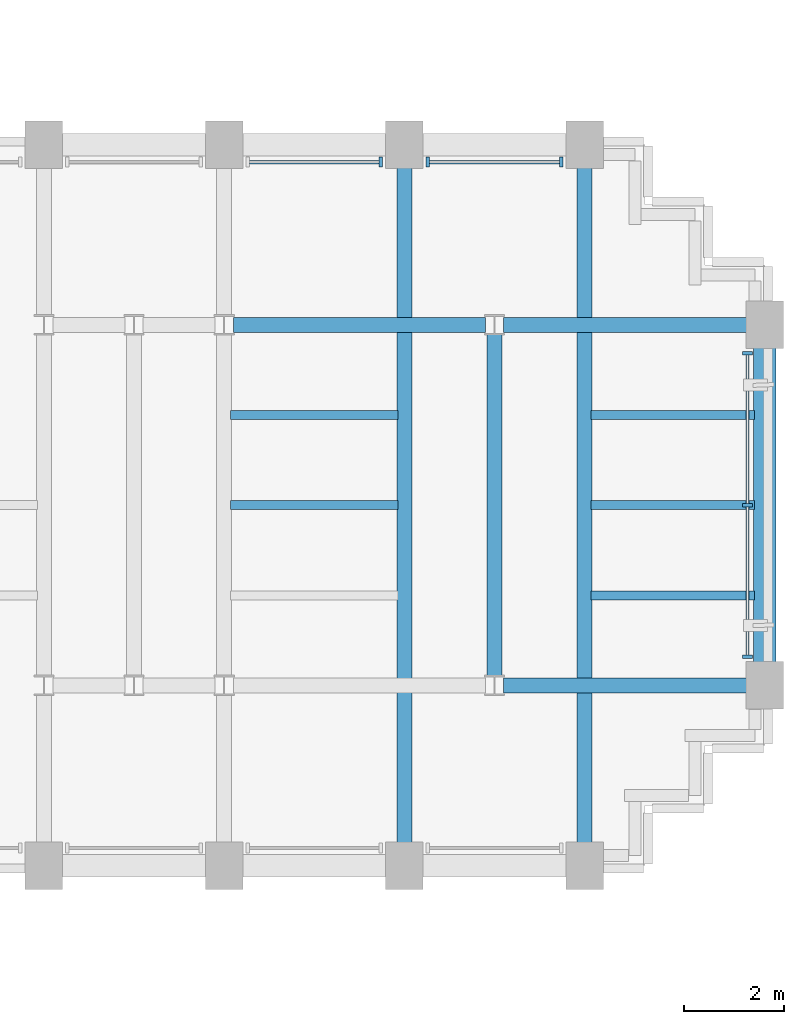
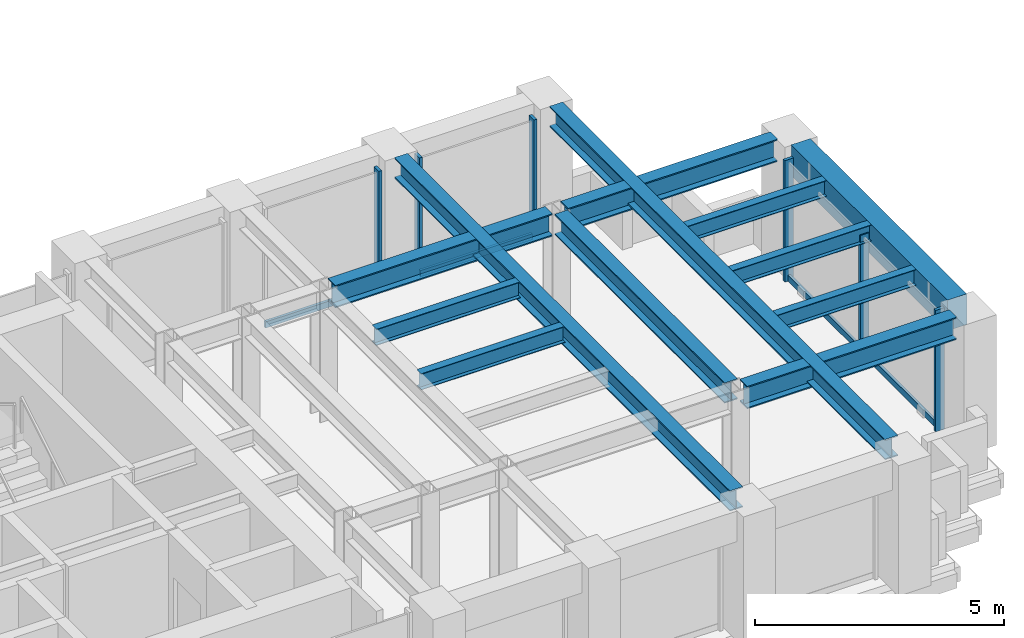
# One storey, part 6 of 16: 12 beams, 10 members, 3 elements without a shape of their own.
"""IFC4 building model written with IfcOpenShell, lengths in metres."""

from ifc_helpers import new_model, si_unit, direction, frame, origin, origin_2d, place, context, subcontext, project, spatial, rectangle, i_section, extrude, source, transform, mapped, material, material_profile, profile_set, type_object, element, aggregate, save


model = new_model("IFC4")

# Units and contexts
model_context = context("Model", 3, precision=1e-05, world=origin(), true_north=direction((0.0, 1.0)))
body_context = subcontext(model_context, "Body", "Model", "MODEL_VIEW")
ifc_project = project(units=[si_unit("LENGTHUNIT", "METRE"), si_unit("AREAUNIT", "SQUARE_METRE"), si_unit("VOLUMEUNIT", "CUBIC_METRE"), si_unit("PLANEANGLEUNIT", "RADIAN"), si_unit("MASSUNIT", "GRAM", prefix="KILO")], contexts=[model_context])

# Site, building, storey
site_placement = place(None, origin())
site = spatial("IfcSite", under=ifc_project, at=site_placement, CompositionType="ELEMENT")
building_placement = place(site_placement, origin())
building = spatial("IfcBuilding", under=site, at=building_placement, Name="Keilestroom Media Tower", CompositionType="ELEMENT")
storey_placement = place(building_placement, frame((0.0, 0.0, 37.39990234375)))
storey = spatial("IfcBuildingStorey", under=building, at=storey_placement, Name="L08", CompositionType="ELEMENT", Elevation=37.39990234375)

# Beams
ifc_material_1 = material(Name="Precast concrete C40/50", Category="concrete")
ifc_material_profile_1 = material_profile(ifc_material_1, rectangle(XDim=0.449951171875, YDim=0.75, at=origin_2d()), Name="PC 450x750")
ifc_profile_set_1 = profile_set([ifc_material_profile_1], Name="Precast concrete C40/50")
beam_type_1 = type_object("IfcBeamType", Name="Perimeter-Spandrel-Beam-PC-450x750", PredefinedType="SPANDREL", material=ifc_profile_set_1)
shared_shape_1 = source(origin(), body_context, "Body", "SweptSolid", [
    extrude(rectangle(XDim=0.449951171875, YDim=0.75, at=origin_2d()), origin(), (0.0, 0.0, 1.0), 6.2900390625),
])
beam_1_placement = place(storey_placement, frame((28.800048828125, -3.14501953125, 2.8251953125), z_axis=(0.0, 1.0, 0.0), x_axis=(-1.0, 0.0, 0.0)))
element("IfcBeam", 1, at=beam_1_placement, inside=storey, type_object=beam_type_1, Name="L08 Beam SPB-1 BM-L08-NS-086", PredefinedType="SPANDREL", context=body_context, shape_type="MappedRepresentation", body=[
    mapped(shared_shape_1, transform((0.0, 0.0, 0.0), x_axis=(1.0, 0.0, 0.0), y_axis=(0.0, 1.0, 0.0), z_axis=(0.0, 0.0, 1.0), scale=1.0)),
])
ifc_material_2 = material(Name="Steel S355", Category="steel")
ifc_material_profile_2 = material_profile(ifc_material_2, i_section(OverallWidth=0.300048828125, OverallDepth=0.550048828125, WebThickness=0.012939453125, FlangeThickness=0.029052734375, at=origin_2d()), Name="HEB 550")
ifc_profile_set_2 = profile_set([ifc_material_profile_2], Name="Steel S355")
beam_type_2 = type_object("IfcBeamType", Name="Primary-Structural-Girder-HEB-550", PredefinedType="BEAM", material=ifc_profile_set_2)
shared_shape_2 = source(origin(), body_context, "Body", "SweptSolid", [
    extrude(i_section(OverallWidth=0.300048828125, OverallDepth=0.550048828125, WebThickness=0.012939453125, FlangeThickness=0.029052734375, at=origin_2d()), origin(), (0.0, 0.0, 1.0), 4.863037109375),
])
for number, where, z_axis, x_axis, name in (
    (2, (23.58203125, -3.60009765625, 2.925048828125), (1.0, 0.0, 0.0), (0.0, 1.0, 0.0), "L08 Beam BG-5 BM-L08-EW-025"),
    (3, (23.58203125, 3.60009765625, 2.925048828125), (1.0, 0.0, 0.0), (0.0, 1.0, 0.0), "L08 Beam BG-5 BM-L08-EW-033"),
):
    element("IfcBeam", number, at=place(storey_placement, frame(where, z_axis=z_axis, x_axis=x_axis)), inside=storey, type_object=beam_type_2, Name=name, PredefinedType="BEAM", context=body_context, shape_type="MappedRepresentation", body=[
        mapped(shared_shape_2, transform((0.0, 0.0, 0.0), x_axis=(1.0, 0.0, 0.0), y_axis=(0.0, 1.0, 0.0), z_axis=(0.0, 0.0, 1.0), scale=1.0)),
    ])
shared_shape_3 = source(origin(), body_context, "Body", "SweptSolid", [
    extrude(i_section(OverallWidth=0.300048828125, OverallDepth=0.550048828125, WebThickness=0.012939453125, FlangeThickness=0.029052734375, at=origin_2d()), origin(), (0.0, 0.0, 1.0), 5.0361328125),
])
beam_2_placement = place(storey_placement, frame((18.181884765625, 3.60009765625, 2.925048828125), z_axis=(1.0, 0.0, 0.0), x_axis=(0.0, 1.0, 0.0)))
element("IfcBeam", 4, at=beam_2_placement, inside=storey, type_object=beam_type_2, Name="L08 Beam BG-5 BM-L08-EW-032", PredefinedType="BEAM", context=body_context, shape_type="MappedRepresentation", body=[
    mapped(shared_shape_3, transform((0.0, 0.0, 0.0), x_axis=(1.0, 0.0, 0.0), y_axis=(0.0, 1.0, 0.0), z_axis=(0.0, 0.0, 1.0), scale=1.0)),
])
ifc_material_profile_3 = material_profile(ifc_material_2, i_section(OverallWidth=0.300048828125, OverallDepth=0.5, WebThickness=0.012451171875, FlangeThickness=0.028076171875, at=origin_2d()), Name="HEB 500")
ifc_profile_set_3 = profile_set([ifc_material_profile_3], Name="Steel S355")
beam_type_3 = type_object("IfcBeamType", Name="Primary-Structural-Girder-HEB-500", PredefinedType="BEAM", material=ifc_profile_set_3)
shared_shape_4 = source(origin(), body_context, "Body", "SweptSolid", [
    extrude(i_section(OverallWidth=0.300048828125, OverallDepth=0.5, WebThickness=0.012451171875, FlangeThickness=0.028076171875, at=origin_2d()), origin(), (0.0, 0.0, 1.0), 13.490234375),
])
for number, where, z_axis, x_axis, name in (
    (5, (21.60009765625, -6.7451171875, 2.9501953125), (0.0, 1.0, 0.0), (-1.0, 0.0, 0.0), "L08 Beam BG-6 BM-L08-NS-083"),
    (6, (25.199951171875, -6.7451171875, 2.9501953125), (0.0, 1.0, 0.0), (-1.0, 0.0, 0.0), "L08 Beam BG-6 BM-L08-NS-085"),
):
    element("IfcBeam", number, at=place(storey_placement, frame(where, z_axis=z_axis, x_axis=x_axis)), inside=storey, type_object=beam_type_3, Name=name, PredefinedType="BEAM", context=body_context, shape_type="MappedRepresentation", body=[
        mapped(shared_shape_4, transform((0.0, 0.0, 0.0), x_axis=(1.0, 0.0, 0.0), y_axis=(0.0, 1.0, 0.0), z_axis=(0.0, 0.0, 1.0), scale=1.0)),
    ])
shared_shape_5 = source(origin(), body_context, "Body", "SweptSolid", [
    extrude(i_section(OverallWidth=0.300048828125, OverallDepth=0.5, WebThickness=0.012451171875, FlangeThickness=0.028076171875, at=origin_2d()), origin(), (0.0, 0.0, 1.0), 6.8330078125),
])
beam_3_placement = place(storey_placement, frame((23.39990234375, -3.41650390625, 2.9501953125), z_axis=(0.0, 1.0, 0.0), x_axis=(-1.0, 0.0, 0.0)))
element("IfcBeam", 7, at=beam_3_placement, inside=storey, type_object=beam_type_3, Name="L08 Beam BG-6 BM-L08-NS-084", PredefinedType="BEAM", context=body_context, shape_type="MappedRepresentation", body=[
    mapped(shared_shape_5, transform((0.0, 0.0, 0.0), x_axis=(1.0, 0.0, 0.0), y_axis=(0.0, 1.0, 0.0), z_axis=(0.0, 0.0, 1.0), scale=1.0)),
])
ifc_material_profile_4 = material_profile(ifc_material_2, i_section(OverallWidth=0.179931640625, OverallDepth=0.39990234375, WebThickness=0.008544921875, FlangeThickness=0.013427734375, at=origin_2d()), Name="IPE 400")
ifc_profile_set_4 = profile_set([ifc_material_profile_4], Name="Steel S355")
beam_type_4 = type_object("IfcBeamType", Name="Secondary-Floor-Joist-IPE-400", PredefinedType="JOIST", material=ifc_profile_set_4)
shared_shape_6 = source(origin(), body_context, "Body", "SweptSolid", [
    extrude(i_section(OverallWidth=0.179931640625, OverallDepth=0.39990234375, WebThickness=0.008544921875, FlangeThickness=0.013427734375, at=origin_2d()), origin(), (0.0, 0.0, 1.0), 3.264892578125),
])
for number, where, z_axis, x_axis, name in (
    (8, (25.330078125, -1.800048828125, 3.0), (1.0, 0.0, 0.0), (0.0, 1.0, 0.0), "L08 Beam BJ-4 JST-L08-095"),
    (9, (25.330078125, 0.0, 3.0), (1.0, 0.0, 0.0), (0.0, 1.0, 0.0), "L08 Beam BJ-4 JST-L08-102"),
    (10, (25.330078125, 1.800048828125, 3.0), (1.0, 0.0, 0.0), (0.0, 1.0, 0.0), "L08 Beam BJ-4 JST-L08-109"),
):
    element("IfcBeam", number, at=place(storey_placement, frame(where, z_axis=z_axis, x_axis=x_axis)), inside=storey, type_object=beam_type_4, Name=name, PredefinedType="JOIST", context=body_context, shape_type="MappedRepresentation", body=[
        mapped(shared_shape_6, transform((0.0, 0.0, 0.0), x_axis=(1.0, 0.0, 0.0), y_axis=(0.0, 1.0, 0.0), z_axis=(0.0, 0.0, 1.0), scale=1.0)),
    ])
shared_shape_7 = source(origin(), body_context, "Body", "SweptSolid", [
    extrude(i_section(OverallWidth=0.179931640625, OverallDepth=0.39990234375, WebThickness=0.008544921875, FlangeThickness=0.013427734375, at=origin_2d()), origin(), (0.0, 0.0, 1.0), 3.340087890625),
])
for number, where, z_axis, x_axis, name in (
    (11, (18.1298828125, 0.0, 3.0), (1.0, 0.0, 0.0), (0.0, 1.0, 0.0), "L08 Beam BJ-4 JST-L08-101"),
    (12, (18.1298828125, 1.800048828125, 3.0), (1.0, 0.0, 0.0), (0.0, 1.0, 0.0), "L08 Beam BJ-4 JST-L08-108"),
):
    element("IfcBeam", number, at=place(storey_placement, frame(where, z_axis=z_axis, x_axis=x_axis)), inside=storey, type_object=beam_type_4, Name=name, PredefinedType="JOIST", context=body_context, shape_type="MappedRepresentation", body=[
        mapped(shared_shape_7, transform((0.0, 0.0, 0.0), x_axis=(1.0, 0.0, 0.0), y_axis=(0.0, 1.0, 0.0), z_axis=(0.0, 0.0, 1.0), scale=1.0)),
    ])

# Curtain wall, members
ifc_material_3 = material(Name="Anodised Aluminium Alloy", Category="aluminium")
curtain_wall_type = type_object("IfcCurtainWallType", Name="Unitised-Curtain-Wall-CW-1", PredefinedType="NOTDEFINED", material=ifc_material_3)
curtain_wall_1_placement = place(storey_placement, origin())
curtain_wall_1 = element("IfcCurtainWall", 13, at=curtain_wall_1_placement, inside=storey, type_object=curtain_wall_type, Name="L08 Curtain Wall CW-1 CW-L08-E-1", PredefinedType="NOTDEFINED")
ifc_material_profile_5 = material_profile(ifc_material_3, rectangle(XDim=0.070068359375, YDim=0.199951171875, at=origin_2d()), Name="ALU MULLION 70x200")
ifc_profile_set_5 = profile_set([ifc_material_profile_5], Name="Anodised Aluminium Alloy")
member_type_1 = type_object("IfcMemberType", Name="Curtain-Wall-Mullion-CW-1", PredefinedType="MULLION", material=ifc_profile_set_5)
shared_shape_8 = source(origin(), body_context, "Body", "SweptSolid", [
    extrude(rectangle(XDim=0.070068359375, YDim=0.199951171875, at=origin_2d()), origin(), (0.0, 0.0, 1.0), 2.97998046875),
])
member_1_placement = place(storey_placement, frame((28.449951171875, -3.030029296875, 0.0), z_axis=(0.0, 0.0, 1.0), x_axis=(0.0, 1.0, 0.0)))
member_1 = element("IfcMember", 14, at=member_1_placement, type_object=member_type_1, Name="CW-1 Mullion 00", PredefinedType="MULLION", context=body_context, shape_type="MappedRepresentation", body=[
    mapped(shared_shape_8, transform((0.0, 0.0, 0.0), x_axis=(1.0, 0.0, 0.0), y_axis=(0.0, 1.0, 0.0), z_axis=(0.0, 0.0, 1.0), scale=1.0)),
])
member_2_placement = place(storey_placement, frame((28.449951171875, 0.0, 0.0), z_axis=(0.0, 0.0, 1.0), x_axis=(0.0, 1.0, 0.0)))
member_2 = element("IfcMember", 15, at=member_2_placement, type_object=member_type_1, Name="CW-1 Mullion 01", PredefinedType="MULLION", context=body_context, shape_type="MappedRepresentation", body=[
    mapped(shared_shape_8, transform((0.0, 0.0, 0.0), x_axis=(1.0, 0.0, 0.0), y_axis=(0.0, 1.0, 0.0), z_axis=(0.0, 0.0, 1.0), scale=1.0)),
])
member_3_placement = place(storey_placement, frame((28.449951171875, 3.030029296875, 0.0), z_axis=(0.0, 0.0, 1.0), x_axis=(0.0, 1.0, 0.0)))
member_3 = element("IfcMember", 16, at=member_3_placement, type_object=member_type_1, Name="CW-1 Mullion 02", PredefinedType="MULLION", context=body_context, shape_type="MappedRepresentation", body=[
    mapped(shared_shape_8, transform((0.0, 0.0, 0.0), x_axis=(1.0, 0.0, 0.0), y_axis=(0.0, 1.0, 0.0), z_axis=(0.0, 0.0, 1.0), scale=1.0)),
])

# Curtain wall, member
curtain_wall_2_placement = place(storey_placement, origin())
curtain_wall_2 = element("IfcCurtainWall", 17, at=curtain_wall_2_placement, inside=storey, type_object=curtain_wall_type, Name="L08 Curtain Wall CW-1 CW-L08-NE-3", PredefinedType="NOTDEFINED")
member_4_placement = place(storey_placement, frame((21.1298828125, 6.85009765625, 0.0), z_axis=(0.0, 0.0, 1.0), x_axis=(1.0, 0.0, 0.0)))
member_4 = element("IfcMember", 18, at=member_4_placement, type_object=member_type_1, Name="CW-1 Mullion 01", PredefinedType="MULLION", context=body_context, shape_type="MappedRepresentation", body=[
    mapped(shared_shape_8, transform((0.0, 0.0, 0.0), x_axis=(1.0, 0.0, 0.0), y_axis=(0.0, 1.0, 0.0), z_axis=(0.0, 0.0, 1.0), scale=1.0)),
])

# Curtain wall, members
curtain_wall_3_placement = place(storey_placement, origin())
curtain_wall_3 = element("IfcCurtainWall", 19, at=curtain_wall_3_placement, inside=storey, type_object=curtain_wall_type, Name="L08 Curtain Wall CW-1 CW-L08-NE-4", PredefinedType="NOTDEFINED")
member_5_placement = place(storey_placement, frame((22.070068359375, 6.85009765625, 0.0), z_axis=(0.0, 0.0, 1.0), x_axis=(1.0, 0.0, 0.0)))
member_5 = element("IfcMember", 20, at=member_5_placement, type_object=member_type_1, Name="CW-1 Mullion 00", PredefinedType="MULLION", context=body_context, shape_type="MappedRepresentation", body=[
    mapped(shared_shape_8, transform((0.0, 0.0, 0.0), x_axis=(1.0, 0.0, 0.0), y_axis=(0.0, 1.0, 0.0), z_axis=(0.0, 0.0, 1.0), scale=1.0)),
])
member_6_placement = place(storey_placement, frame((24.72998046875, 6.85009765625, 0.0), z_axis=(0.0, 0.0, 1.0), x_axis=(1.0, 0.0, 0.0)))
member_6 = element("IfcMember", 21, at=member_6_placement, type_object=member_type_1, Name="CW-1 Mullion 01", PredefinedType="MULLION", context=body_context, shape_type="MappedRepresentation", body=[
    mapped(shared_shape_8, transform((0.0, 0.0, 0.0), x_axis=(1.0, 0.0, 0.0), y_axis=(0.0, 1.0, 0.0), z_axis=(0.0, 0.0, 1.0), scale=1.0)),
])

# Member
ifc_material_profile_6 = material_profile(ifc_material_3, rectangle(XDim=0.06494140625, YDim=0.14990234375, at=origin_2d()), Name="ALU TRANSOM 65x150")
ifc_profile_set_6 = profile_set([ifc_material_profile_6], Name="Anodised Aluminium Alloy")
member_type_2 = type_object("IfcMemberType", Name="Curtain-Wall-Transom-CW-1", PredefinedType="USERDEFINED", material=ifc_profile_set_6)
shared_shape_9 = source(origin(), body_context, "Body", "SweptSolid", [
    extrude(rectangle(XDim=0.06494140625, YDim=0.14990234375, at=origin_2d()), origin(), (0.0, 0.0, 1.0), 2.964111328125),
])
member_7_placement = place(storey_placement, frame((28.449951171875, -2.9970703125, 0.0751953125), z_axis=(0.0, 1.0, 0.0), x_axis=(-1.0, 0.0, 0.0)))
member_7 = element("IfcMember", 22, at=member_7_placement, type_object=member_type_2, Name="CW-1 Transom 00.1", ObjectType="TRANSOM", PredefinedType="USERDEFINED", context=body_context, shape_type="MappedRepresentation", body=[
    mapped(shared_shape_9, transform((0.0, 0.0, 0.0), x_axis=(1.0, 0.0, 0.0), y_axis=(0.0, 1.0, 0.0), z_axis=(0.0, 0.0, 1.0), scale=1.0)),
])

member_8_placement = place(storey_placement, frame((28.449951171875, 0.032958984375, 0.0751953125), z_axis=(0.0, 1.0, 0.0), x_axis=(-1.0, 0.0, 0.0)))
member_8 = element("IfcMember", 23, at=member_8_placement, type_object=member_type_2, Name="CW-1 Transom 01.1", ObjectType="TRANSOM", PredefinedType="USERDEFINED", context=body_context, shape_type="MappedRepresentation", body=[
    mapped(shared_shape_9, transform((0.0, 0.0, 0.0), x_axis=(1.0, 0.0, 0.0), y_axis=(0.0, 1.0, 0.0), z_axis=(0.0, 0.0, 1.0), scale=1.0)),
])

aggregate(curtain_wall_1, [member_1, member_2, member_3, member_7, member_8])

shared_shape_10 = source(origin(), body_context, "Body", "SweptSolid", [
    extrude(rectangle(XDim=0.06494140625, YDim=0.14990234375, at=origin_2d()), origin(), (0.0, 0.0, 1.0), 2.593994140625),
])
member_9_placement = place(storey_placement, frame((18.5029296875, 6.85009765625, 0.0751953125), z_axis=(1.0, 0.0, 0.0), x_axis=(0.0, 1.0, 0.0)))
member_9 = element("IfcMember", 24, at=member_9_placement, type_object=member_type_2, Name="CW-1 Transom 00.1", ObjectType="TRANSOM", PredefinedType="USERDEFINED", context=body_context, shape_type="MappedRepresentation", body=[
    mapped(shared_shape_10, transform((0.0, 0.0, 0.0), x_axis=(1.0, 0.0, 0.0), y_axis=(0.0, 1.0, 0.0), z_axis=(0.0, 0.0, 1.0), scale=1.0)),
])

aggregate(curtain_wall_2, [member_4, member_9])

member_10_placement = place(storey_placement, frame((22.10302734375, 6.85009765625, 0.0751953125), z_axis=(1.0, 0.0, 0.0), x_axis=(0.0, 1.0, 0.0)))
member_10 = element("IfcMember", 25, at=member_10_placement, type_object=member_type_2, Name="CW-1 Transom 00.1", ObjectType="TRANSOM", PredefinedType="USERDEFINED", context=body_context, shape_type="MappedRepresentation", body=[
    mapped(shared_shape_10, transform((0.0, 0.0, 0.0), x_axis=(1.0, 0.0, 0.0), y_axis=(0.0, 1.0, 0.0), z_axis=(0.0, 0.0, 1.0), scale=1.0)),
])

aggregate(curtain_wall_3, [member_5, member_6, member_10])

save(model, "model.ifc")
